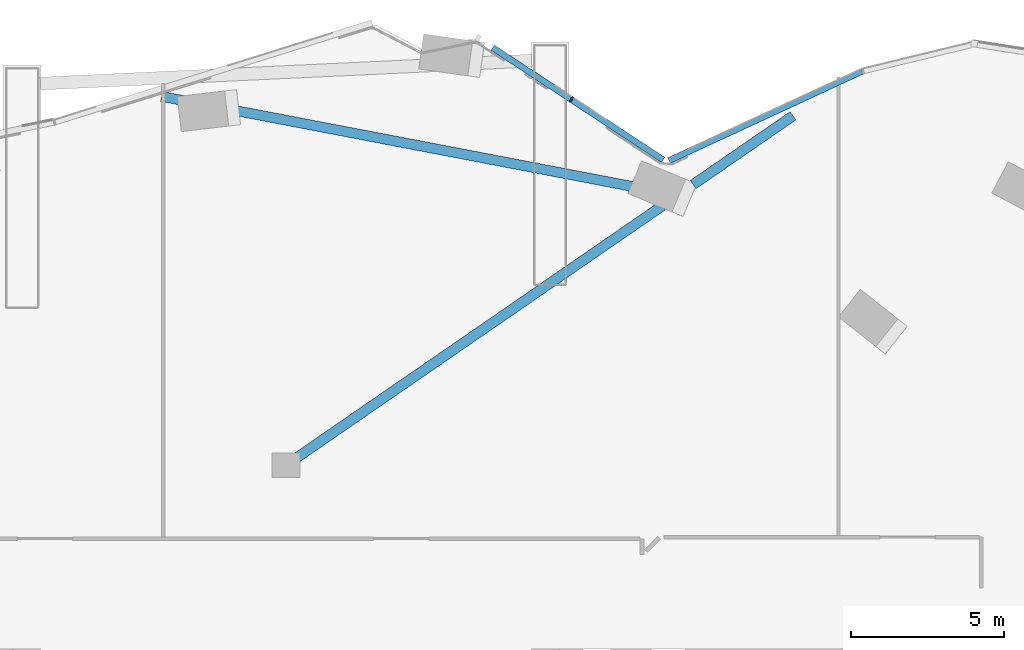
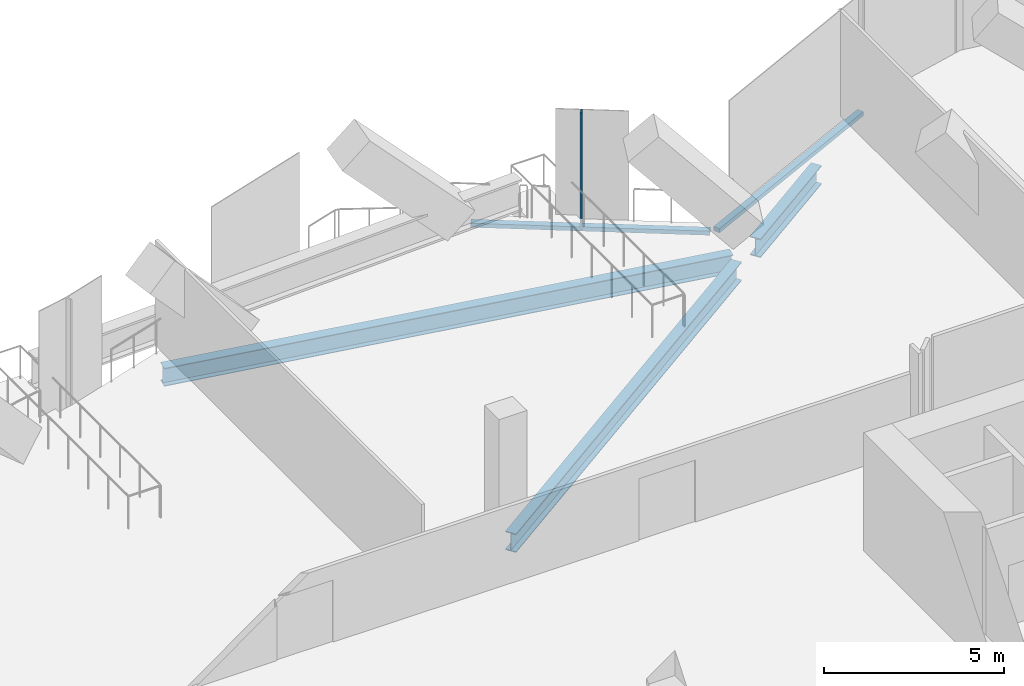
# One storey, part 10 of 26: 3 beams, 3 members, 2 elements without a shape of their own.
"""IFC4 building model written with IfcOpenShell, lengths in metres."""

from ifc_helpers import new_model, si_unit, direction, frame, origin, origin_2d, place, context, subcontext, project, spatial, rectangle, i_section, extrude, material, material_profile, profile_set, type_object, element, aggregate, save


model = new_model("IFC4")

# Units and contexts
model_context = context("Model", 3, precision=1e-05, world=origin(), true_north=direction((0.0, 1.0)))
body_context = subcontext(model_context, "Body", "Model", "MODEL_VIEW")
ifc_project = project(units=[si_unit("LENGTHUNIT", "METRE"), si_unit("AREAUNIT", "SQUARE_METRE"), si_unit("VOLUMEUNIT", "CUBIC_METRE"), si_unit("PLANEANGLEUNIT", "RADIAN"), si_unit("MASSUNIT", "GRAM", prefix="KILO")], contexts=[model_context])

# Site, building, storey
site_placement = place(None, origin())
site = spatial("IfcSite", under=ifc_project, at=site_placement, CompositionType="ELEMENT")
building_placement = place(site_placement, origin())
building = spatial("IfcBuilding", under=site, at=building_placement, Name="Orlundy Tower", CompositionType="ELEMENT")
storey_placement = place(building_placement, frame((0.0, 0.0, 249.5)))
storey = spatial("IfcBuildingStorey", under=building, at=storey_placement, Name="L66", CompositionType="ELEMENT", Elevation=249.5)

# Beams
ifc_material_1 = material(Name="Steel ASTM A992 Gr 50", Category="steel")
ifc_material_profile_1 = material_profile(ifc_material_1, i_section(OverallWidth=0.32373046875, OverallDepth=0.611083984375, WebThickness=0.0126953125, FlangeThickness=0.01904296875, at=origin_2d()), Name="W24X104")
ifc_profile_set_1 = profile_set([ifc_material_profile_1], Name="Steel ASTM A992 Gr 50")
beam_type_1 = type_object("IfcBeamType", Name="CANTILEVER GIRDER beam W24X104", PredefinedType="BEAM", material=ifc_profile_set_1)
beam_1_placement = place(storey_placement, frame((-4.05712890625, 30.01220703125, -0.7255859375), z_axis=(0.982184872845, -0.187917203986, 0.0), x_axis=(0.187917203986, 0.982184872845, 0.0)))
element("IfcBeam", 1, at=beam_1_placement, inside=storey, type_object=beam_type_1, Name="Cantilever girder C-H24 L66", PredefinedType="BEAM", context=body_context, shape_type="SweptSolid", body=[
    extrude(i_section(OverallWidth=0.32373046875, OverallDepth=0.611083984375, WebThickness=0.0126953125, FlangeThickness=0.01904296875, at=origin_2d()), origin(), (0.0, 0.0, 1.0), 16.706298828125),
])
ifc_material_2 = material(Name="Steel ASTM A992 Gr 50", Category="steel")
ifc_material_profile_2 = material_profile(ifc_material_2, i_section(OverallWidth=0.3291015625, OverallDepth=0.635009765625, WebThickness=0.017822265625, FlangeThickness=0.031005859375, at=origin_2d()), Name="W24X162")
ifc_profile_set_2 = profile_set([ifc_material_profile_2], Name="Steel ASTM A992 Gr 50")
beam_type_2 = type_object("IfcBeamType", Name="CANTILEVER GIRDER beam W24X162", PredefinedType="BEAM", material=ifc_profile_set_2)
beam_2_placement = place(storey_placement, frame((16.51708984375, 29.379638671875, -0.737548828125), z_axis=(-0.823480649226, -0.567344357821, 0.0), x_axis=(0.567344357821, -0.823480649226, 0.0)))
element("IfcBeam", 2, at=beam_2_placement, inside=storey, type_object=beam_type_2, Name="Cantilever girder C-H02 L66", PredefinedType="BEAM", context=body_context, shape_type="SweptSolid", body=[
    extrude(i_section(OverallWidth=0.3291015625, OverallDepth=0.635009765625, WebThickness=0.017822265625, FlangeThickness=0.031005859375, at=origin_2d()), origin(), (0.0, 0.0, 1.0), 3.949951171875),
])
beam_3_placement = place(storey_placement, frame((12.263671875, 26.44921875, -0.737548828125), z_axis=(-0.823483771742, -0.56733982557, 0.0), x_axis=(0.56733982557, -0.823483771742, 0.0)))
element("IfcBeam", 3, at=beam_3_placement, inside=storey, type_object=beam_type_2, Name="Back-span girder C-H02 L66", PredefinedType="BEAM", context=body_context, shape_type="SweptSolid", body=[
    extrude(i_section(OverallWidth=0.3291015625, OverallDepth=0.635009765625, WebThickness=0.017822265625, FlangeThickness=0.031005859375, at=origin_2d()), origin(), (0.0, 0.0, 1.0), 14.572509765625),
])

# Curtain wall, members
ifc_material_3 = material(Name="Aluminium bronze anodised", Category="aluminium")
curtain_wall_type = type_object("IfcCurtainWallType", Name="CW5 wall", PredefinedType="NOTDEFINED", material=ifc_material_3)
curtain_wall_1_placement = place(storey_placement, origin())
curtain_wall_1 = element("IfcCurtainWall", 4, at=curtain_wall_1_placement, inside=storey, type_object=curtain_wall_type, Name="CW5 run 014", PredefinedType="NOTDEFINED")
ifc_material_4 = material(Name="Aluminium bronze anodised", Category="aluminium")
ifc_material_profile_3 = material_profile(ifc_material_4, rectangle(XDim=0.199951171875, YDim=0.050048828125, at=origin_2d()), Name="CW5 mullion 50x200")
ifc_profile_set_3 = profile_set([ifc_material_profile_3], Name="Aluminium bronze anodised")
member_type_1 = type_object("IfcMemberType", Name="CW5 mullion 50x200", PredefinedType="MULLION", material=ifc_profile_set_3)
member_1_placement = place(storey_placement, frame((9.29541015625, 29.9130859375, -0.419921875), z_axis=(0.0, 0.0, 1.0), x_axis=(0.549496670175, 0.835495906314, 0.0)))
member_1 = element("IfcMember", 5, at=member_1_placement, type_object=member_type_1, Name="CW5 mullion 22", PredefinedType="MULLION", context=body_context, shape_type="SweptSolid", body=[
    extrude(rectangle(XDim=0.199951171875, YDim=0.050048828125, at=origin_2d()), origin(), (0.0, 0.0, 1.0), 4.0),
])
ifc_material_5 = material(Name="Aluminium bronze anodised", Category="aluminium")
ifc_material_profile_4 = material_profile(ifc_material_5, rectangle(XDim=0.199951171875, YDim=0.139892578125, at=origin_2d()), Name="CW5 transom 200x140")
ifc_profile_set_4 = profile_set([ifc_material_profile_4], Name="Aluminium bronze anodised")
member_type_2 = type_object("IfcMemberType", Name="CW5 transom 200x140", PredefinedType="USERDEFINED", material=ifc_profile_set_4)
member_2_placement = place(storey_placement, frame((6.73388671875, 31.597900390625, -0.35009765625), z_axis=(0.835486300472, -0.549511275339, 0.0), x_axis=(0.549511275339, 0.835486300472, 0.0)))
member_2 = element("IfcMember", 6, at=member_2_placement, type_object=member_type_2, Name="CW5 transom", ObjectType="TRANSOM", PredefinedType="USERDEFINED", context=body_context, shape_type="SweptSolid", body=[
    extrude(rectangle(XDim=0.199951171875, YDim=0.139892578125, at=origin_2d()), origin(), (0.0, 0.0, 1.0), 6.64794921875),
])
aggregate(curtain_wall_1, [member_1, member_2])

# Curtain wall, member
curtain_wall_2_placement = place(storey_placement, origin())
curtain_wall_2 = element("IfcCurtainWall", 7, at=curtain_wall_2_placement, inside=storey, type_object=curtain_wall_type, Name="CW5 run 015", PredefinedType="NOTDEFINED")
member_3_placement = place(storey_placement, frame((12.477294921875, 27.922119140625, -0.35009765625), z_axis=(0.907532274373, 0.419982346022, 0.0), x_axis=(-0.419982346022, 0.907532274373, 0.0)))
member_3 = element("IfcMember", 8, at=member_3_placement, type_object=member_type_2, Name="CW5 transom", ObjectType="TRANSOM", PredefinedType="USERDEFINED", context=body_context, shape_type="SweptSolid", body=[
    extrude(rectangle(XDim=0.199951171875, YDim=0.139892578125, at=origin_2d()), origin(), (0.0, 0.0, 1.0), 6.933837890625),
])
aggregate(curtain_wall_2, [member_3])

save(model, "model.ifc")
